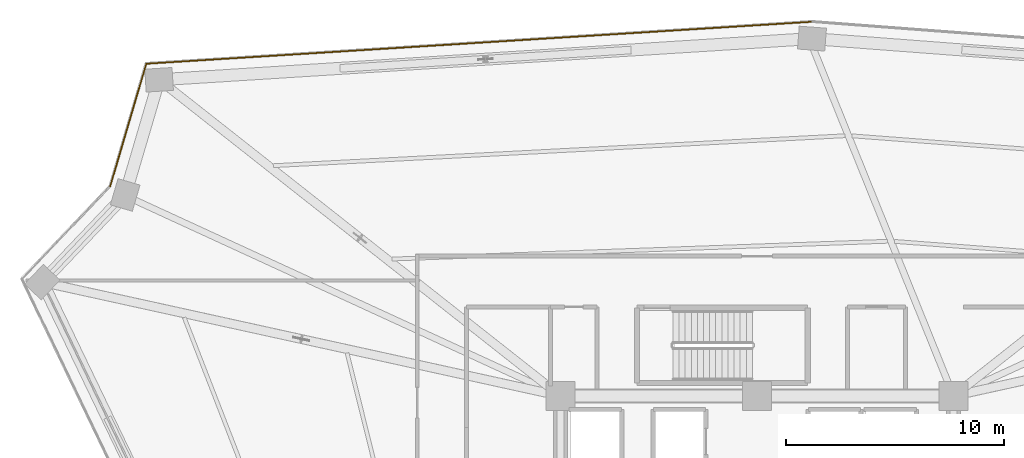
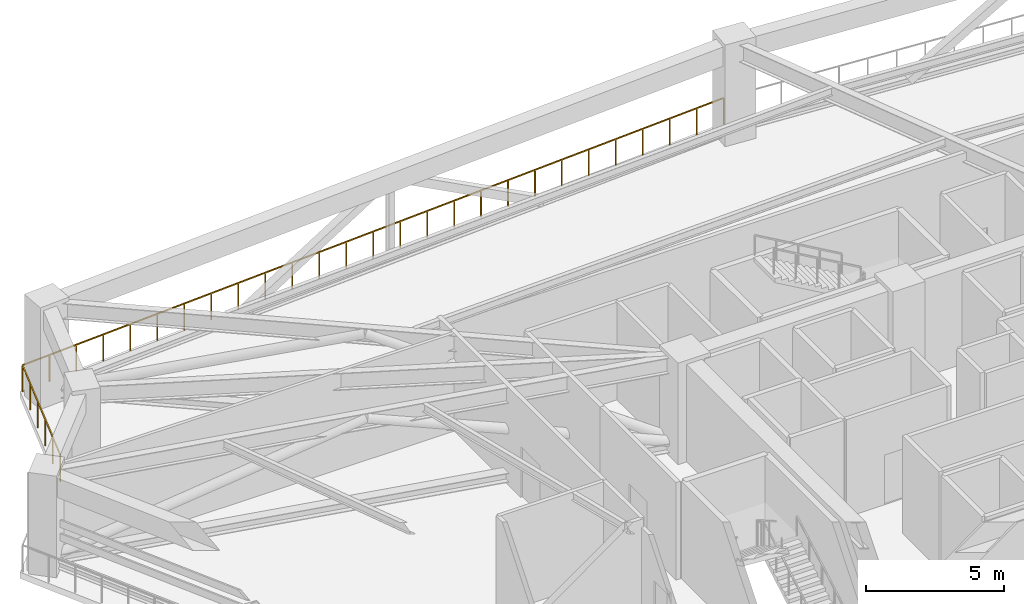
# One storey, part 23 of 25: 2 railings.
"""IFC4 building model written with IfcOpenShell, lengths in metres."""

from ifc_helpers import new_model, si_unit, direction, frame, origin, origin_2d, place, context, subcontext, project, spatial, rectangle, extrude, material, type_object, element, save


model = new_model("IFC4")

# Units and contexts
model_context = context("Model", 3, precision=1e-05, world=origin(), true_north=direction((0.0, 1.0)))
body_context = subcontext(model_context, "Body", "Model", "MODEL_VIEW")
ifc_project = project(units=[si_unit("LENGTHUNIT", "METRE"), si_unit("AREAUNIT", "SQUARE_METRE"), si_unit("VOLUMEUNIT", "CUBIC_METRE"), si_unit("PLANEANGLEUNIT", "RADIAN"), si_unit("MASSUNIT", "GRAM", prefix="KILO")], contexts=[model_context])

# Site, building, storey
site_placement = place(None, origin())
site = spatial("IfcSite", under=ifc_project, at=site_placement, CompositionType="ELEMENT")
building_placement = place(site_placement, origin())
building = spatial("IfcBuilding", under=site, at=building_placement, Name="Liaohun Quay Tower", CompositionType="ELEMENT")
storey_placement = place(building_placement, frame((0.0, 0.0, 231.75)))
storey = spatial("IfcBuildingStorey", under=building, at=storey_placement, Name="L60", CompositionType="ELEMENT", Elevation=231.75)

# Railings
ifc_material = material(Name="Galvanised and powder-coated steel", Category="steel")
railing_type = type_object("IfcRailingType", Name="RLG-GUARD-EXT", PredefinedType="GUARDRAIL", material=ifc_material)
railing_1_placement = place(storey_placement, frame((30.3759765625, 71.10400390625, 0.0)))
element("IfcRailing", 1, at=railing_1_placement, inside=storey, type_object=railing_type, Name="L60 Open Refuge Band Perimeter Guardrail 04", PredefinedType="GUARDRAIL", context=body_context, shape_type="SweptSolid", body=[
    extrude(rectangle(XDim=0.048095703125, YDim=0.048095703125, at=origin_2d()), frame((0.0, 0.0, 1.17578125), z_axis=(0.282617981973, 0.959232545458, 0.0), x_axis=(-0.959232545458, 0.282617981973, 0.0)), (0.0, 0.0, 1.0), 5.8525390625),
    extrude(rectangle(XDim=0.0419921875, YDim=0.0419921875, at=origin_2d()), origin(), (0.0, 0.0, 1.0), 1.15185546875),
    extrude(rectangle(XDim=0.0419921875, YDim=0.0419921875, at=origin_2d()), frame((0.330810546875, 1.122802734375, 0.0)), (0.0, 0.0, 1.0), 1.15185546875),
    extrude(rectangle(XDim=0.0419921875, YDim=0.0419921875, at=origin_2d()), frame((0.66162109375, 2.24560546875, 0.0)), (0.0, 0.0, 1.0), 1.15185546875),
    extrude(rectangle(XDim=0.0419921875, YDim=0.0419921875, at=origin_2d()), frame((0.992431640625, 3.368408203125, 0.0)), (0.0, 0.0, 1.0), 1.15185546875),
    extrude(rectangle(XDim=0.0419921875, YDim=0.0419921875, at=origin_2d()), frame((1.3232421875, 4.4912109375, 0.0)), (0.0, 0.0, 1.0), 1.15185546875),
    extrude(rectangle(XDim=0.0419921875, YDim=0.0419921875, at=origin_2d()), frame((1.654052734375, 5.614013671875, 0.0)), (0.0, 0.0, 1.0), 1.15185546875),
])
railing_2_placement = place(storey_placement, frame((32.030029296875, 76.718017578125, 0.0)))
element("IfcRailing", 2, at=railing_2_placement, inside=storey, type_object=railing_type, Name="L60 Open Refuge Band Perimeter Guardrail 05", PredefinedType="GUARDRAIL", context=body_context, shape_type="SweptSolid", body=[
    extrude(rectangle(XDim=0.048095703125, YDim=0.048095703125, at=origin_2d()), frame((0.0, 0.0, 1.17578125), z_axis=(0.998017192317, 0.062941908453, 0.0), x_axis=(-0.062941908453, 0.998017192317, 0.0)), (0.0, 0.0, 1.0), 30.553466796875),
    extrude(rectangle(XDim=0.0419921875, YDim=0.0419921875, at=origin_2d()), origin(), (0.0, 0.0, 1.0), 1.15185546875),
    extrude(rectangle(XDim=0.0419921875, YDim=0.0419921875, at=origin_2d()), frame((1.1728515625, 0.073974609375, 0.0)), (0.0, 0.0, 1.0), 1.15185546875),
    extrude(rectangle(XDim=0.0419921875, YDim=0.0419921875, at=origin_2d()), frame((2.345703125, 0.14794921875, 0.0)), (0.0, 0.0, 1.0), 1.15185546875),
    extrude(rectangle(XDim=0.0419921875, YDim=0.0419921875, at=origin_2d()), frame((3.518310546875, 0.221923828125, 0.0)), (0.0, 0.0, 1.0), 1.15185546875),
    extrude(rectangle(XDim=0.0419921875, YDim=0.0419921875, at=origin_2d()), frame((4.691162109375, 0.2958984375, 0.0)), (0.0, 0.0, 1.0), 1.15185546875),
    extrude(rectangle(XDim=0.0419921875, YDim=0.0419921875, at=origin_2d()), frame((5.864013671875, 0.369873046875, 0.0)), (0.0, 0.0, 1.0), 1.15185546875),
    extrude(rectangle(XDim=0.0419921875, YDim=0.0419921875, at=origin_2d()), frame((7.036865234375, 0.44384765625, 0.0)), (0.0, 0.0, 1.0), 1.15185546875),
    extrude(rectangle(XDim=0.0419921875, YDim=0.0419921875, at=origin_2d()), frame((8.209716796875, 0.517822265625, 0.0)), (0.0, 0.0, 1.0), 1.15185546875),
    extrude(rectangle(XDim=0.0419921875, YDim=0.0419921875, at=origin_2d()), frame((9.38232421875, 0.591796875, 0.0)), (0.0, 0.0, 1.0), 1.15185546875),
    extrude(rectangle(XDim=0.0419921875, YDim=0.0419921875, at=origin_2d()), frame((10.55517578125, 0.665771484375, 0.0)), (0.0, 0.0, 1.0), 1.15185546875),
    extrude(rectangle(XDim=0.0419921875, YDim=0.0419921875, at=origin_2d()), frame((11.72802734375, 0.73974609375, 0.0)), (0.0, 0.0, 1.0), 1.15185546875),
    extrude(rectangle(XDim=0.0419921875, YDim=0.0419921875, at=origin_2d()), frame((12.90087890625, 0.813720703125, 0.0)), (0.0, 0.0, 1.0), 1.15185546875),
    extrude(rectangle(XDim=0.0419921875, YDim=0.0419921875, at=origin_2d()), frame((14.07373046875, 0.8876953125, 0.0)), (0.0, 0.0, 1.0), 1.15185546875),
    extrude(rectangle(XDim=0.0419921875, YDim=0.0419921875, at=origin_2d()), frame((15.24658203125, 0.96142578125, 0.0)), (0.0, 0.0, 1.0), 1.15185546875),
    extrude(rectangle(XDim=0.0419921875, YDim=0.0419921875, at=origin_2d()), frame((16.419189453125, 1.035400390625, 0.0)), (0.0, 0.0, 1.0), 1.15185546875),
    extrude(rectangle(XDim=0.0419921875, YDim=0.0419921875, at=origin_2d()), frame((17.592041015625, 1.109375, 0.0)), (0.0, 0.0, 1.0), 1.15185546875),
    extrude(rectangle(XDim=0.0419921875, YDim=0.0419921875, at=origin_2d()), frame((18.764892578125, 1.183349609375, 0.0)), (0.0, 0.0, 1.0), 1.15185546875),
    extrude(rectangle(XDim=0.0419921875, YDim=0.0419921875, at=origin_2d()), frame((19.937744140625, 1.25732421875, 0.0)), (0.0, 0.0, 1.0), 1.15185546875),
    extrude(rectangle(XDim=0.0419921875, YDim=0.0419921875, at=origin_2d()), frame((21.110595703125, 1.331298828125, 0.0)), (0.0, 0.0, 1.0), 1.15185546875),
    extrude(rectangle(XDim=0.0419921875, YDim=0.0419921875, at=origin_2d()), frame((22.283203125, 1.4052734375, 0.0)), (0.0, 0.0, 1.0), 1.15185546875),
    extrude(rectangle(XDim=0.0419921875, YDim=0.0419921875, at=origin_2d()), frame((23.4560546875, 1.479248046875, 0.0)), (0.0, 0.0, 1.0), 1.15185546875),
    extrude(rectangle(XDim=0.0419921875, YDim=0.0419921875, at=origin_2d()), frame((24.62890625, 1.55322265625, 0.0)), (0.0, 0.0, 1.0), 1.15185546875),
    extrude(rectangle(XDim=0.0419921875, YDim=0.0419921875, at=origin_2d()), frame((25.8017578125, 1.627197265625, 0.0)), (0.0, 0.0, 1.0), 1.15185546875),
    extrude(rectangle(XDim=0.0419921875, YDim=0.0419921875, at=origin_2d()), frame((26.974609375, 1.701171875, 0.0)), (0.0, 0.0, 1.0), 1.15185546875),
    extrude(rectangle(XDim=0.0419921875, YDim=0.0419921875, at=origin_2d()), frame((28.147216796875, 1.775146484375, 0.0)), (0.0, 0.0, 1.0), 1.15185546875),
    extrude(rectangle(XDim=0.0419921875, YDim=0.0419921875, at=origin_2d()), frame((29.320068359375, 1.84912109375, 0.0)), (0.0, 0.0, 1.0), 1.15185546875),
    extrude(rectangle(XDim=0.0419921875, YDim=0.0419921875, at=origin_2d()), frame((30.492919921875, 1.923095703125, 0.0)), (0.0, 0.0, 1.0), 1.15185546875),
])

save(model, "model.ifc")
